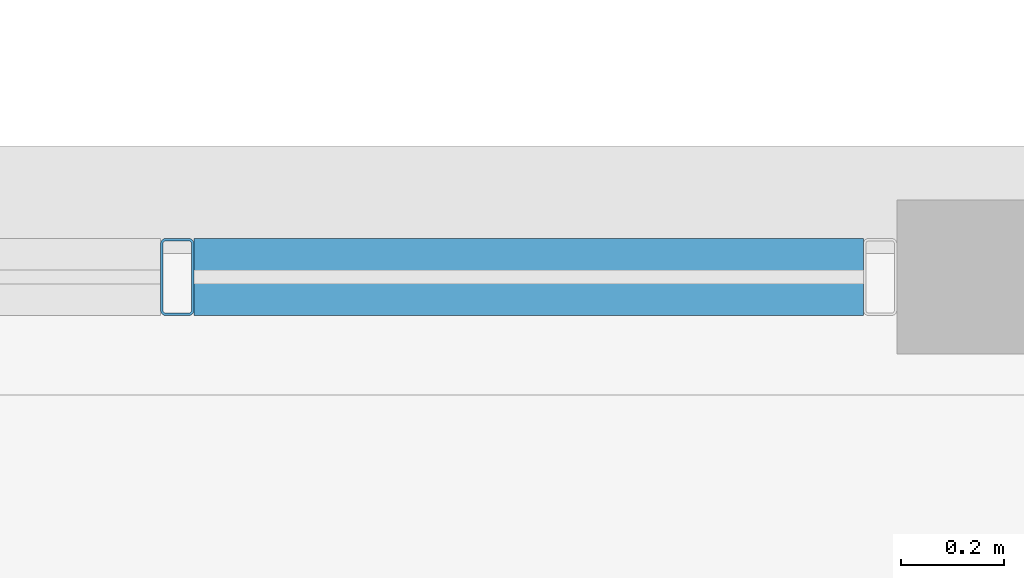
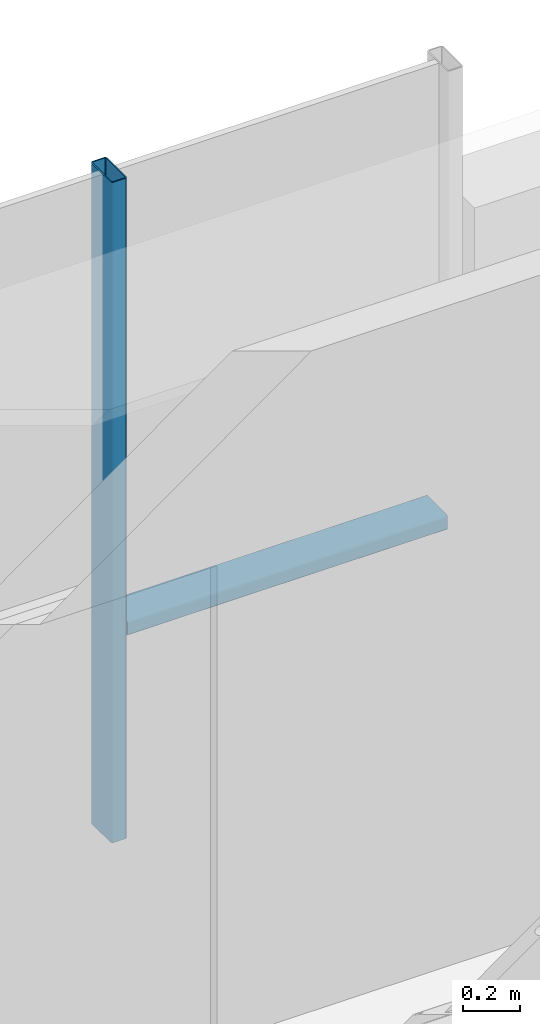
# One storey, part 14 of 36: 2 members, 1 element without a shape of its own.
"""IFC4 building model written with IfcOpenShell, lengths in metres."""

from ifc_helpers import new_model, si_unit, direction, frame, origin, origin_2d, place, context, subcontext, project, spatial, hollow_rectangle, extrude, material, layer, layer_set, material_profile, profile_set, type_object, element, aggregate, save


model = new_model("IFC4")

# Units and contexts
model_context = context("Model", 3, precision=1e-05, world=origin(), true_north=direction((0.0, 1.0)))
body_context = subcontext(model_context, "Body", "Model", "MODEL_VIEW")
ifc_project = project(units=[si_unit("LENGTHUNIT", "METRE"), si_unit("AREAUNIT", "SQUARE_METRE"), si_unit("VOLUMEUNIT", "CUBIC_METRE"), si_unit("PLANEANGLEUNIT", "RADIAN"), si_unit("MASSUNIT", "GRAM", prefix="KILO")], contexts=[model_context])

# Site, building, storey
site_placement = place(None, origin())
site = spatial("IfcSite", under=ifc_project, at=site_placement, CompositionType="ELEMENT")
building_placement = place(site_placement, origin())
building = spatial("IfcBuilding", under=site, at=building_placement, Name="Brevholm Reach", CompositionType="ELEMENT")
storey_placement = place(building_placement, frame((0.0, 0.0, 175.89990234375)))
storey = spatial("IfcBuildingStorey", under=building, at=storey_placement, Name="L53", CompositionType="ELEMENT", Elevation=175.89990234375)

# Curtain wall, members
ifc_material_1 = material(Name="Dark Anodised Aluminium 6063-T6 and Solar-Control Glass", Category="aluminium")
ifc_layer = layer(ifc_material_1, 0.14990234375)
ifc_layer_set = layer_set([ifc_layer], Name="Dark Anodised Aluminium 6063-T6 and Solar-Control Glass")
curtain_wall_type = type_object("IfcCurtainWallType", Name="CW-01", PredefinedType="NOTDEFINED", material=ifc_layer_set)
curtain_wall_placement = place(storey_placement, origin())
curtain_wall = element("IfcCurtainWall", 1, at=curtain_wall_placement, inside=storey, type_object=curtain_wall_type, Name="L53 Curtain Wall CW-01", PredefinedType="NOTDEFINED")
ifc_material_2 = material(Name="Dark Anodised Aluminium 6063-T6", Category="aluminium")
ifc_material_profile_1 = material_profile(ifc_material_2, hollow_rectangle(XDim=0.06494140625, YDim=0.14990234375, WallThickness=0.0048828125, InnerFilletRadius=0.0048828125, OuterFilletRadius=0.010009765625, at=origin_2d()), Name="RHS 150x65x5")
ifc_profile_set_1 = profile_set([ifc_material_profile_1], Name="Dark Anodised Aluminium 6063-T6")
member_type_1 = type_object("IfcMemberType", Name="CWM-150", PredefinedType="MULLION", material=ifc_profile_set_1)
member_1_placement = place(storey_placement, frame((30.800048828125, 26.35009765625, 0.0), z_axis=(0.0, 0.0, 1.0), x_axis=(1.0, 0.0, 0.0)))
member_1 = element("IfcMember", 2, at=member_1_placement, type_object=member_type_1, Name="CM-150 Mullion 2", PredefinedType="MULLION", context=body_context, shape_type="SweptSolid", body=[
    extrude(hollow_rectangle(XDim=0.06494140625, YDim=0.14990234375, WallThickness=0.0048828125, InnerFilletRadius=0.0048828125, OuterFilletRadius=0.010009765625, at=origin_2d()), origin(), (0.0, 0.0, 1.0), 2.840087890625),
])
ifc_material_3 = material(Name="Dark Anodised Aluminium 6063-T6", Category="aluminium")
ifc_material_profile_2 = material_profile(ifc_material_3, hollow_rectangle(XDim=0.06494140625, YDim=0.14990234375, WallThickness=0.0048828125, InnerFilletRadius=0.0048828125, OuterFilletRadius=0.010009765625, at=origin_2d()), Name="RHS 150x65x5")
ifc_profile_set_2 = profile_set([ifc_material_profile_2], Name="Dark Anodised Aluminium 6063-T6")
member_type_2 = type_object("IfcMemberType", Name="CWT-150", PredefinedType="NOTDEFINED", material=ifc_profile_set_2)
member_2_placement = place(storey_placement, frame((30.83251953125, 26.35009765625, 0.900146484375), z_axis=(1.0, 0.0, 0.0), x_axis=(0.0, 0.0, 1.0)))
member_2 = element("IfcMember", 3, at=member_2_placement, type_object=member_type_2, Name="CT-150 Transom 2.1", ObjectType="TRANSOM", PredefinedType="USERDEFINED", context=body_context, shape_type="SweptSolid", body=[
    extrude(hollow_rectangle(XDim=0.06494140625, YDim=0.14990234375, WallThickness=0.0048828125, InnerFilletRadius=0.0048828125, OuterFilletRadius=0.010009765625, at=origin_2d()), origin(), (0.0, 0.0, 1.0), 1.302490234375),
])
aggregate(curtain_wall, [member_1, member_2])

save(model, "model.ifc")
